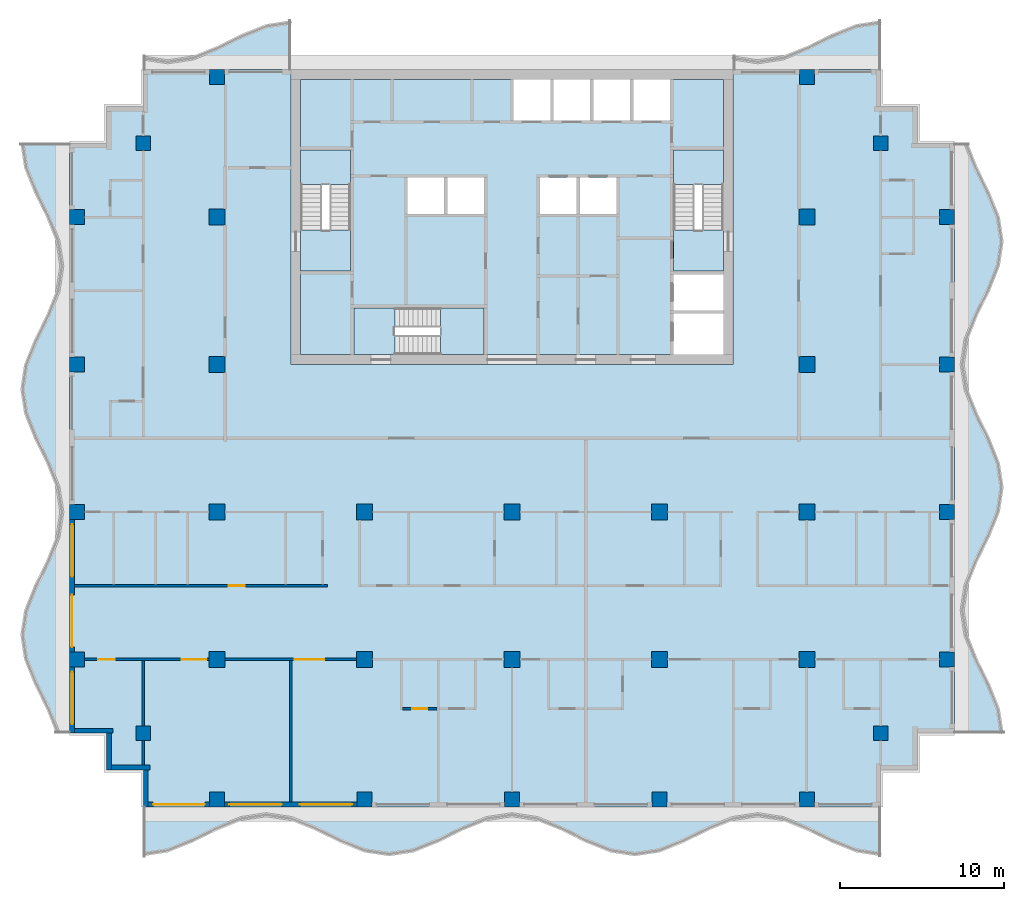
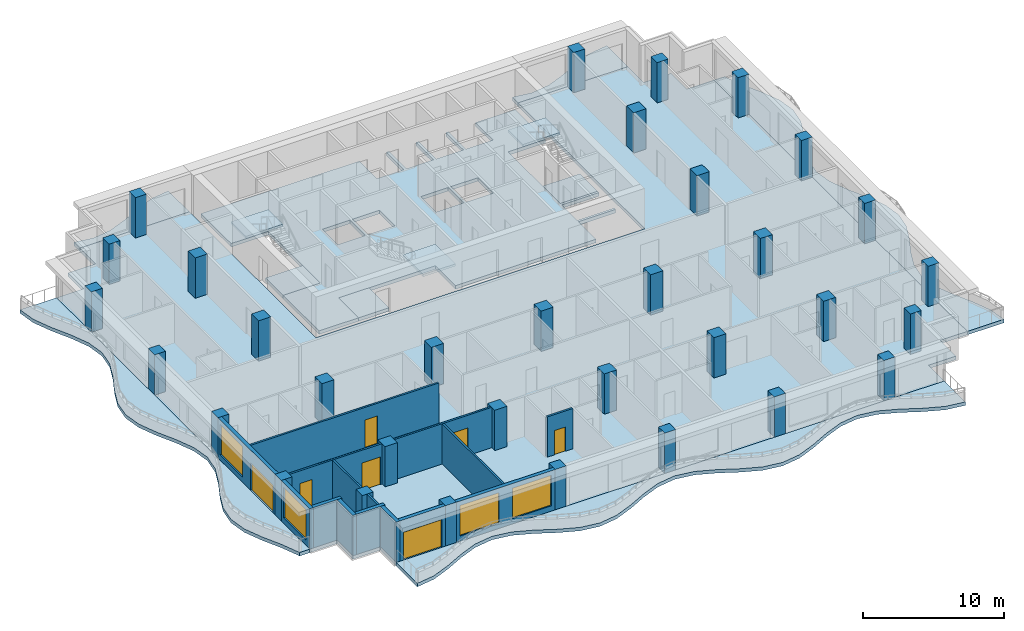
# One storey, part 1 of 11: 33 columns, 15 walls, 13 slabs, 7 doors, 4 windows, 11 openings, 3 elements without a shape of their own.
"""IFC4 building model written with IfcOpenShell, lengths in metres."""

from ifc_helpers import new_model, si_unit, direction, frame, frame_2d, origin, origin_2d, place, context, subcontext, project, spatial, polyline, rectangle, outline, extrude, material, layer, layer_set, material_profile, profile_set, type_object, element, fill, aggregate, save


model = new_model("IFC4")

# Units and contexts
model_context = context("Model", 3, precision=1e-05, world=origin(), true_north=direction((0.0, 1.0)))
body_context = subcontext(model_context, "Body", "Model", "MODEL_VIEW")
ifc_project = project(units=[si_unit("LENGTHUNIT", "METRE"), si_unit("AREAUNIT", "SQUARE_METRE"), si_unit("VOLUMEUNIT", "CUBIC_METRE"), si_unit("PLANEANGLEUNIT", "RADIAN"), si_unit("MASSUNIT", "GRAM", prefix="KILO")], contexts=[model_context])

# Site, building, storey
site_placement = place(None, origin())
site = spatial("IfcSite", under=ifc_project, at=site_placement, CompositionType="ELEMENT")
building_placement = place(site_placement, origin())
building = spatial("IfcBuilding", under=site, at=building_placement, Name="Orbiselva Terraces", CompositionType="ELEMENT")
storey_placement = place(building_placement, frame((0.0, 0.0, 250.2)))
storey = spatial("IfcBuildingStorey", under=building, at=storey_placement, Name="L63", CompositionType="ELEMENT", Elevation=250.2)

# Columns
ifc_material_1 = material(Name="Concrete C50/60", Category="concrete")
ifc_material_profile_1 = material_profile(ifc_material_1, rectangle(XDim=1.0, YDim=1.0, at=origin_2d()), Name="RC 1000x1000")
ifc_profile_set_1 = profile_set([ifc_material_profile_1], Name="Concrete C50/60")
column_type_1 = type_object("IfcColumnType", Name="COLUMN RC 1000x1000", PredefinedType="COLUMN", material=ifc_profile_set_1)
for number, where, z_axis, x_axis, name in (
    (1, (-18.0, -13.5, 0.0), (0.0, 0.0, 1.0), (1.0, 0.0, 0.0), "Column L63-01"),
    (2, (-18.0, -4.5, 0.0), (0.0, 0.0, 1.0), (1.0, 0.0, 0.0), "Column L63-03"),
    (3, (-18.0, 13.5, 0.0), (0.0, 0.0, 1.0), (1.0, 0.0, 0.0), "Column L63-04"),
    (4, (-18.0, 4.5, 0.0), (0.0, 0.0, 1.0), (1.0, 0.0, 0.0), "Column L63-06"),
    (5, (-9.0, -13.5, 0.0), (0.0, 0.0, 1.0), (1.0, 0.0, 0.0), "Column L63-13"),
    (6, (-9.0, -4.5, 0.0), (0.0, 0.0, 1.0), (1.0, 0.0, 0.0), "Column L63-15"),
    (7, (0.0, -13.5, 0.0), (0.0, 0.0, 1.0), (1.0, 0.0, 0.0), "Column L63-16"),
    (8, (0.0, -4.5, 0.0), (0.0, 0.0, 1.0), (1.0, 0.0, 0.0), "Column L63-18"),
    (9, (18.0, -13.5, 0.0), (0.0, 0.0, 1.0), (1.0, 0.0, 0.0), "Column L63-19"),
    (10, (18.0, -4.5, 0.0), (0.0, 0.0, 1.0), (1.0, 0.0, 0.0), "Column L63-21"),
    (11, (18.0, 13.5, 0.0), (0.0, 0.0, 1.0), (1.0, 0.0, 0.0), "Column L63-22"),
    (12, (18.0, 4.5, 0.0), (0.0, 0.0, 1.0), (1.0, 0.0, 0.0), "Column L63-24"),
    (13, (9.0, -13.5, 0.0), (0.0, 0.0, 1.0), (1.0, 0.0, 0.0), "Column L63-31"),
    (14, (9.0, -4.5, 0.0), (0.0, 0.0, 1.0), (1.0, 0.0, 0.0), "Column L63-33"),
):
    element("IfcColumn", number, at=place(storey_placement, frame(where, z_axis=z_axis, x_axis=x_axis)), inside=storey, type_object=column_type_1, Name=name, PredefinedType="COLUMN", context=body_context, shape_type="SweptSolid", body=[
        extrude(rectangle(XDim=1.0, YDim=1.0, at=origin_2d()), origin(), (0.0, 0.0, 1.0), 3.5),
    ])
ifc_material_profile_2 = material_profile(ifc_material_1, rectangle(XDim=0.9, YDim=0.9, at=origin_2d()), Name="RC 900x900")
ifc_profile_set_2 = profile_set([ifc_material_profile_2], Name="Concrete C50/60")
column_type_2 = type_object("IfcColumnType", Name="PERIMETER COLUMN RC 900x900", PredefinedType="COLUMN", material=ifc_profile_set_2)
for number, where, z_axis, x_axis, name in (
    (15, (-18.0, -22.05, 0.0), (0.0, 0.0, 1.0), (1.0, 0.0, 0.0), "Column L63-02"),
    (16, (-18.0, 22.05, 0.0), (0.0, 0.0, 1.0), (1.0, 0.0, 0.0), "Column L63-05"),
    (17, (-26.55, -13.5, 0.0), (0.0, 0.0, 1.0), (1.0, 0.0, 0.0), "Column L63-07"),
    (18, (-22.5, -18.0, 0.0), (0.0, 0.0, 1.0), (1.0, 0.0, 0.0), "Column L63-08"),
    (19, (-26.55, -4.5, 0.0), (0.0, 0.0, 1.0), (1.0, 0.0, 0.0), "Column L63-09"),
    (20, (-26.55, 13.5, 0.0), (0.0, 0.0, 1.0), (1.0, 0.0, 0.0), "Column L63-10"),
    (21, (-22.5, 18.0, 0.0), (0.0, 0.0, 1.0), (1.0, 0.0, 0.0), "Column L63-11"),
    (22, (-26.55, 4.5, 0.0), (0.0, 0.0, 1.0), (1.0, 0.0, 0.0), "Column L63-12"),
    (23, (-9.0, -22.05, 0.0), (0.0, 0.0, 1.0), (1.0, 0.0, 0.0), "Column L63-14"),
    (24, (0.0, -22.05, 0.0), (0.0, 0.0, 1.0), (1.0, 0.0, 0.0), "Column L63-17"),
    (25, (18.0, -22.05, 0.0), (0.0, 0.0, 1.0), (1.0, 0.0, 0.0), "Column L63-20"),
    (26, (18.0, 22.05, 0.0), (0.0, 0.0, 1.0), (1.0, 0.0, 0.0), "Column L63-23"),
    (27, (26.55, -13.5, 0.0), (0.0, 0.0, 1.0), (1.0, 0.0, 0.0), "Column L63-25"),
    (28, (22.5, -18.0, 0.0), (0.0, 0.0, 1.0), (1.0, 0.0, 0.0), "Column L63-26"),
    (29, (26.55, -4.5, 0.0), (0.0, 0.0, 1.0), (1.0, 0.0, 0.0), "Column L63-27"),
    (30, (26.55, 13.5, 0.0), (0.0, 0.0, 1.0), (1.0, 0.0, 0.0), "Column L63-28"),
    (31, (22.5, 18.0, 0.0), (0.0, 0.0, 1.0), (1.0, 0.0, 0.0), "Column L63-29"),
    (32, (26.55, 4.5, 0.0), (0.0, 0.0, 1.0), (1.0, 0.0, 0.0), "Column L63-30"),
    (33, (9.0, -22.05, 0.0), (0.0, 0.0, 1.0), (1.0, 0.0, 0.0), "Column L63-32"),
):
    element("IfcColumn", number, at=place(storey_placement, frame(where, z_axis=z_axis, x_axis=x_axis)), inside=storey, type_object=column_type_2, Name=name, PredefinedType="COLUMN", context=body_context, shape_type="SweptSolid", body=[
        extrude(rectangle(XDim=0.9, YDim=0.9, at=origin_2d()), origin(), (0.0, 0.0, 1.0), 3.5),
    ])

# Slabs
ifc_material_2 = material(Name="Concrete C40/50", Category="concrete")
ifc_layer_1 = layer(ifc_material_2, 0.3)
ifc_layer_set_1 = layer_set([ifc_layer_1], Name="Concrete C40/50")
slab_type_1 = type_object("IfcSlabType", Name="CORE-SLAB-FLOOR-300", PredefinedType="FLOOR", material=ifc_layer_set_1)
slab_1_placement = place(storey_placement, frame((0.0, 0.0, -0.3)))
element("IfcSlab", 34, at=slab_1_placement, inside=storey, type_object=slab_type_1, Name="L63 S1 floor landing", PredefinedType="FLOOR", context=body_context, shape_type="SweptSolid", body=[
    extrude(outline(polyline([(-12.9, 12.7), (-9.85, 12.7), (-9.85, 10.2), (-12.9, 10.2), (-12.9, 12.7)])), origin(), (0.0, 0.0, 1.0), 0.3),
])
slab_2_placement = place(storey_placement, frame((0.0, 0.0, -0.3)))
element("IfcSlab", 35, at=slab_2_placement, inside=storey, type_object=slab_type_1, Name="L63 S2 floor landing", PredefinedType="FLOOR", context=body_context, shape_type="SweptSolid", body=[
    extrude(outline(polyline([(12.9, 12.7), (12.9, 10.2), (9.85, 10.2), (9.85, 12.7), (12.9, 12.7)])), origin(), (0.0, 0.0, 1.0), 0.3),
])
slab_3_placement = place(storey_placement, frame((0.0, 0.0, -0.3)))
element("IfcSlab", 36, at=slab_3_placement, inside=storey, type_object=slab_type_1, Name="L63 S3 floor landing", PredefinedType="FLOOR", context=body_context, shape_type="SweptSolid", body=[
    extrude(outline(polyline([(-7.15, 5.1), (-9.65, 5.1), (-9.65, 7.95), (-7.15, 7.95), (-7.15, 5.1)])), origin(), (0.0, 0.0, 1.0), 0.3),
])
slab_4_placement = place(storey_placement, frame((0.0, 0.0, -0.3)))
element("IfcSlab", 37, at=slab_4_placement, inside=storey, type_object=slab_type_1, Name="L63 core floor slab 1", PredefinedType="FLOOR", context=body_context, shape_type="SweptSolid", body=[
    extrude(outline(polyline([(-1.7, 5.1), (-1.7, 7.95), (-9.65, 7.95), (-9.65, 5.1), (-12.9, 5.1), (-12.9, 10.2), (-9.85, 10.2), (-9.85, 17.6), (-12.9, 17.6), (-12.9, 21.9), (0.1, 21.9), (0.1, 19.4), (2.3375, 19.4), (2.3375, 21.9), (2.5375, 21.9), (2.5375, 19.4), (4.775, 19.4), (4.775, 21.9), (4.975, 21.9), (4.975, 19.4), (7.2125, 19.4), (7.2125, 21.9), (7.4125, 21.9), (7.4125, 19.4), (9.65, 19.4), (9.65, 21.9), (12.9, 21.9), (12.9, 17.6), (9.85, 17.6), (9.85, 10.2), (12.9, 10.2), (12.9, 10.0), (9.85, 10.0), (9.85, 7.8), (12.9, 7.8), (12.9, 7.6), (9.85, 7.6), (9.85, 5.1), (-1.7, 5.1)]), holes=[polyline([(-4.1375, 13.7), (-4.1375, 15.9), (-6.375, 15.9), (-6.375, 13.7), (-4.1375, 13.7)]), polyline([(-1.7, 13.7), (-1.7, 15.9), (-3.9375, 15.9), (-3.9375, 13.7), (-1.7, 13.7)]), polyline([(3.9375, 15.9), (1.7, 15.9), (1.7, 13.7), (3.9375, 13.7), (3.9375, 15.9)]), polyline([(6.375, 13.7), (6.375, 15.9), (4.1375, 15.9), (4.1375, 13.7), (6.375, 13.7)])]), origin(), (0.0, 0.0, 1.0), 0.3),
])

# Stair, slab
stair_type_1 = type_object("IfcStairType", Name="CORE-STAIR-1300", PredefinedType="HALF_TURN_STAIR", material=ifc_material_2)
stair_1_placement = place(storey_placement, origin())
stair_1 = element("IfcStair", 38, at=stair_1_placement, inside=storey, type_object=stair_type_1, Name="L63 Exit Stair S1", PredefinedType="HALF_TURN_STAIR")
ifc_layer_2 = layer(ifc_material_2, 0.2)
ifc_layer_set_2 = layer_set([ifc_layer_2], Name="Concrete C40/50")
slab_type_2 = type_object("IfcSlabType", Name="CORE-STAIR-LANDING-200", PredefinedType="LANDING", material=ifc_layer_set_2)
slab_5_placement = place(storey_placement, frame((0.0, 0.0, 1.7)))
slab_5 = element("IfcSlab", 39, at=slab_5_placement, type_object=slab_type_2, Name="S1 landing 1", PredefinedType="LANDING", context=body_context, shape_type="SweptSolid", body=[
    extrude(outline(polyline([(-9.85, 15.5), (-9.85, 17.6), (-12.9, 17.6), (-12.9, 15.5), (-9.85, 15.5)])), origin(), (0.0, 0.0, 1.0), 0.2),
])
aggregate(stair_1, [slab_5])

stair_2_placement = place(storey_placement, origin())
stair_2 = element("IfcStair", 40, at=stair_2_placement, inside=storey, type_object=stair_type_1, Name="L63 Exit Stair S2", PredefinedType="HALF_TURN_STAIR")
slab_6_placement = place(storey_placement, frame((0.0, 0.0, 1.7)))
slab_6 = element("IfcSlab", 41, at=slab_6_placement, type_object=slab_type_2, Name="S2 landing 1", PredefinedType="LANDING", context=body_context, shape_type="SweptSolid", body=[
    extrude(outline(polyline([(12.9, 15.5), (12.9, 17.6), (9.85, 17.6), (9.85, 15.5), (12.9, 15.5)])), origin(), (0.0, 0.0, 1.0), 0.2),
])
aggregate(stair_2, [slab_6])

stair_type_2 = type_object("IfcStairType", Name="CORE-STAIR-1200", PredefinedType="HALF_TURN_STAIR", material=ifc_material_2)
stair_3_placement = place(storey_placement, origin())
stair_3 = element("IfcStair", 42, at=stair_3_placement, inside=storey, type_object=stair_type_2, Name="L63 Exit Stair S3", PredefinedType="HALF_TURN_STAIR")
slab_7_placement = place(storey_placement, frame((0.0, 0.0, 1.7)))
slab_7 = element("IfcSlab", 43, at=slab_7_placement, type_object=slab_type_2, Name="S3 landing 1", PredefinedType="LANDING", context=body_context, shape_type="SweptSolid", body=[
    extrude(outline(polyline([(-4.35, 5.1), (-1.7, 5.1), (-1.7, 7.95), (-4.35, 7.95), (-4.35, 5.1)])), origin(), (0.0, 0.0, 1.0), 0.2),
])
aggregate(stair_3, [slab_7])

# Slabs
ifc_layer_3 = layer(ifc_material_1, 0.3)
ifc_layer_set_3 = layer_set([ifc_layer_3], Name="Concrete C50/60")
slab_type_3 = type_object("IfcSlabType", Name="ENV-BALCONY-SLAB-300", PredefinedType="FLOOR", material=ifc_layer_set_3)
slab_8_placement = place(storey_placement, frame((0.0, 0.0, -0.3)))
element("IfcSlab", 44, at=slab_8_placement, inside=storey, type_object=slab_type_3, Name="Balcony slab L63 S", PredefinedType="FLOOR", context=body_context, shape_type="SweptSolid", body=[
    extrude(outline(polyline([(-22.5, -25.5), (-21.0, -25.27082), (-19.5, -24.67082), (-18.0, -23.92918), (-16.5, -23.32918), (-15.0, -23.1), (-13.5, -23.32918), (-12.0, -23.92918), (-10.5, -24.67082), (-9.0, -25.27082), (-7.5, -25.5), (-6.0, -25.27082), (-4.5, -24.67082), (-3.0, -23.92918), (-1.5, -23.32918), (0.0, -23.1), (1.5, -23.32918), (3.0, -23.92918), (4.5, -24.67082), (6.0, -25.27082), (7.5, -25.5), (9.0, -25.27082), (10.5, -24.67082), (12.0, -23.92918), (13.5, -23.32918), (15.0, -23.1), (16.5, -23.32918), (18.0, -23.92918), (19.5, -24.67082), (21.0, -25.27082), (22.5, -25.5), (22.5, -22.5), (-22.5, -22.5), (-22.5, -25.5)])), origin(), (0.0, 0.0, 1.0), 0.3),
])
slab_9_placement = place(storey_placement, frame((0.0, 0.0, -0.3)))
element("IfcSlab", 45, at=slab_9_placement, inside=storey, type_object=slab_type_3, Name="Balcony slab L63 E", PredefinedType="FLOOR", context=body_context, shape_type="SweptSolid", body=[
    extrude(outline(polyline([(30.0, -18.0), (29.77082, -16.5), (29.17082, -15.0), (28.42918, -13.5), (27.82918, -12.0), (27.6, -10.5), (27.82918, -9.0), (28.42918, -7.5), (29.17082, -6.0), (29.77082, -4.5), (30.0, -3.0), (29.77082, -1.5), (29.17082, 0.0), (28.42918, 1.5), (27.82918, 3.0), (27.6, 4.5), (27.82918, 6.0), (28.42918, 7.5), (29.17082, 9.0), (29.77082, 10.5), (30.0, 12.0), (29.77082, 13.5), (29.17082, 15.0), (28.42918, 16.5), (27.82918, 18.0), (27.0, 18.0), (27.0, -18.0), (30.0, -18.0)])), origin(), (0.0, 0.0, 1.0), 0.3),
])
slab_10_placement = place(storey_placement, frame((0.0, 0.0, -0.3)))
element("IfcSlab", 46, at=slab_10_placement, inside=storey, type_object=slab_type_3, Name="Balcony slab L63 NE", PredefinedType="FLOOR", context=body_context, shape_type="SweptSolid", body=[
    extrude(outline(polyline([(22.5, 25.5), (21.0, 25.27082), (19.5, 24.67082), (18.0, 23.92918), (16.5, 23.32918), (15.0, 23.1), (13.5, 23.32918), (13.5, 22.5), (22.5, 22.5), (22.5, 25.5)])), origin(), (0.0, 0.0, 1.0), 0.3),
])
slab_11_placement = place(storey_placement, frame((0.0, 0.0, -0.3)))
element("IfcSlab", 47, at=slab_11_placement, inside=storey, type_object=slab_type_3, Name="Balcony slab L63 NW", PredefinedType="FLOOR", context=body_context, shape_type="SweptSolid", body=[
    extrude(outline(polyline([(-13.5, 25.5), (-15.0, 25.27082), (-16.5, 24.67082), (-18.0, 23.92918), (-19.5, 23.32918), (-21.0, 23.1), (-22.5, 23.32918), (-22.5, 22.5), (-13.5, 22.5), (-13.5, 25.5)])), origin(), (0.0, 0.0, 1.0), 0.3),
])
slab_12_placement = place(storey_placement, frame((0.0, 0.0, -0.3)))
element("IfcSlab", 48, at=slab_12_placement, inside=storey, type_object=slab_type_3, Name="Balcony slab L63 W", PredefinedType="FLOOR", context=body_context, shape_type="SweptSolid", body=[
    extrude(outline(polyline([(-30.0, 18.0), (-29.77082, 16.5), (-29.17082, 15.0), (-28.42918, 13.5), (-27.82918, 12.0), (-27.6, 10.5), (-27.82918, 9.0), (-28.42918, 7.5), (-29.17082, 6.0), (-29.77082, 4.5), (-30.0, 3.0), (-29.77082, 1.5), (-29.17082, 0.0), (-28.42918, -1.5), (-27.82918, -3.0), (-27.6, -4.5), (-27.82918, -6.0), (-28.42918, -7.5), (-29.17082, -9.0), (-29.77082, -10.5), (-30.0, -12.0), (-29.77082, -13.5), (-29.17082, -15.0), (-28.42918, -16.5), (-27.82918, -18.0), (-27.0, -18.0), (-27.0, 18.0), (-30.0, 18.0)])), origin(), (0.0, 0.0, 1.0), 0.3),
])
ifc_layer_4 = layer(ifc_material_1, 0.3)
ifc_layer_set_4 = layer_set([ifc_layer_4], Name="Concrete C50/60")
slab_type_4 = type_object("IfcSlabType", Name="FLOOR SLAB 300", PredefinedType="FLOOR", material=ifc_layer_set_4)
slab_13_placement = place(storey_placement, frame((0.0, 0.0, -0.3)))
element("IfcSlab", 49, at=slab_13_placement, inside=storey, type_object=slab_type_4, Name="Floor slab L63", PredefinedType="FLOOR", context=body_context, shape_type="SweptSolid", body=[
    extrude(outline(polyline([(22.5, 22.5), (22.5, 20.25), (24.75, 20.25), (24.75, 18.0), (27.0, 18.0), (27.0, -18.0), (24.75, -18.0), (24.75, -20.25), (22.5, -20.25), (22.5, -22.5), (-22.5, -22.5), (-22.5, -20.25), (-24.75, -20.25), (-24.75, -18.0), (-27.0, -18.0), (-27.0, 18.0), (-24.75, 18.0), (-24.75, 20.25), (-22.5, 20.25), (-22.5, 22.5), (-13.5, 22.5), (-13.5, 4.5), (13.5, 4.5), (13.5, 22.5), (22.5, 22.5)])), origin(), (0.0, 0.0, 1.0), 0.3),
])

# Wall, opening, door
ifc_material_3 = material(Name="Terracotta cladding on masonry backing", Category="masonry")
ifc_layer_5 = layer(ifc_material_3, 0.3)
ifc_layer_set_5 = layer_set([ifc_layer_5], Name="Terracotta cladding on masonry backing")
wall_type_1 = type_object("IfcWallType", Name="ENV-WALL-TERRACOTTA-300", PredefinedType="SOLIDWALL", material=ifc_layer_set_5)
wall_1_placement = place(storey_placement, frame((-18.45, -22.35, 0.0), z_axis=(0.0, 0.0, 1.0), x_axis=(-1.0, 0.0, 0.0)))
wall_1 = element("IfcWall", 50, at=wall_1_placement, inside=storey, type_object=wall_type_1, Name="Facade wall L63 S", PredefinedType="SOLIDWALL", context=body_context, shape_type="SweptSolid", body=[
    extrude(rectangle(XDim=3.75, YDim=0.3, at=frame_2d((1.875, 0.0))), origin(), (0.0, 0.0, 1.0), 3.5),
])
opening_1_placement = place(wall_1_placement, frame((0.3, 0.0, 0.0)))
opening_1 = element("IfcOpeningElement", 51, at=opening_1_placement, cuts=wall_1, Name="Opening Z5-B-E01", PredefinedType="OPENING", context=body_context, shape_type="SweptSolid", body=[
    extrude(rectangle(XDim=3.15, YDim=2.4, at=frame_2d((1.575, 1.2))), frame((0.0, 0.16, 0.0), z_axis=(0.0, -1.0, 0.0), x_axis=(1.0, 0.0, 0.0)), (0.0, 0.0, 1.0), 0.32),
])
ifc_material_4 = material(Name="Clear low-e glazing in aluminium frame", Category="aluminium")
door_type_1 = type_object("IfcDoorType", Name="BALCONY DOOR 3150 X 2400", OperationType="DOUBLE_DOOR_SLIDING", PredefinedType="DOOR", material=ifc_material_4)
door_1_placement = place(opening_1_placement, origin())
door_1 = element("IfcDoor", 52, at=door_1_placement, inside=storey, type_object=door_type_1, Name="Z5-B-E01", OperationType="SINGLE_SWING_LEFT", OverallHeight=2.4, OverallWidth=3.15, PredefinedType="DOOR", context=body_context, shape_type="SweptSolid", body=[
    extrude(rectangle(XDim=3.15, YDim=2.4, at=frame_2d((1.575, 1.2))), frame((0.0, 0.025, 0.0), z_axis=(0.0, -1.0, 0.0), x_axis=(1.0, 0.0, 0.0)), (0.0, 0.0, 1.0), 0.05),
])
fill(opening_1, door_1)

# Wall, openings, windows
wall_2_placement = place(storey_placement, frame((-9.45, -22.35, 0.0), z_axis=(0.0, 0.0, 1.0), x_axis=(-1.0, 0.0, 0.0)))
wall_2 = element("IfcWall", 53, at=wall_2_placement, inside=storey, type_object=wall_type_1, Name="Facade wall L63 S", PredefinedType="SOLIDWALL", context=body_context, shape_type="SweptSolid", body=[
    extrude(rectangle(XDim=8.1, YDim=0.3, at=frame_2d((4.05, 0.0))), origin(), (0.0, 0.0, 1.0), 3.5),
])
opening_2_placement = place(wall_2_placement, frame((4.6, 0.0, 0.45)))
opening_2 = element("IfcOpeningElement", 54, at=opening_2_placement, cuts=wall_2, Name="Opening WN17", PredefinedType="OPENING", context=body_context, shape_type="SweptSolid", body=[
    extrude(rectangle(XDim=3.2, YDim=2.65, at=frame_2d((1.6, 1.325))), frame((0.0, 0.16, 0.0), z_axis=(0.0, -1.0, 0.0), x_axis=(1.0, 0.0, 0.0)), (0.0, 0.0, 1.0), 0.32),
])
opening_3_placement = place(wall_2_placement, frame((0.3, 0.0, 0.45)))
opening_3 = element("IfcOpeningElement", 55, at=opening_3_placement, cuts=wall_2, Name="Opening WN17", PredefinedType="OPENING", context=body_context, shape_type="SweptSolid", body=[
    extrude(rectangle(XDim=3.2, YDim=2.65, at=frame_2d((1.6, 1.325))), frame((0.0, 0.16, 0.0), z_axis=(0.0, -1.0, 0.0), x_axis=(1.0, 0.0, 0.0)), (0.0, 0.0, 1.0), 0.32),
])
window_type = type_object("IfcWindowType", Name="WINDOW 3200 X 2650 S450", PartitioningType="TRIPLE_PANEL_VERTICAL", PredefinedType="WINDOW", material=ifc_material_4)
window_1_placement = place(opening_2_placement, origin())
window_1 = element("IfcWindow", 56, at=window_1_placement, inside=storey, type_object=window_type, Name="Window L63 S", OverallHeight=2.65, OverallWidth=3.2, PartitioningType="SINGLE_PANEL", PredefinedType="WINDOW", context=body_context, shape_type="SweptSolid", body=[
    extrude(rectangle(XDim=3.2, YDim=2.65, at=frame_2d((1.6, 1.325))), frame((0.0, 0.03, 0.0), z_axis=(0.0, -1.0, 0.0), x_axis=(1.0, 0.0, 0.0)), (0.0, 0.0, 1.0), 0.06),
])
fill(opening_2, window_1)
window_2_placement = place(opening_3_placement, origin())
window_2 = element("IfcWindow", 57, at=window_2_placement, inside=storey, type_object=window_type, Name="Window L63 S", OverallHeight=2.65, OverallWidth=3.2, PartitioningType="SINGLE_PANEL", PredefinedType="WINDOW", context=body_context, shape_type="SweptSolid", body=[
    extrude(rectangle(XDim=3.2, YDim=2.65, at=frame_2d((1.6, 1.325))), frame((0.0, 0.03, 0.0), z_axis=(0.0, -1.0, 0.0), x_axis=(1.0, 0.0, 0.0)), (0.0, 0.0, 1.0), 0.06),
])
fill(opening_3, window_2)

# Wall, openings, door, window
wall_3_placement = place(storey_placement, frame((-26.85, -13.05, 0.0), z_axis=(0.0, 0.0, 1.0), x_axis=(0.0, 1.0, 0.0)))
wall_3 = element("IfcWall", 58, at=wall_3_placement, inside=storey, type_object=wall_type_1, Name="Facade wall L63 W", PredefinedType="SOLIDWALL", context=body_context, shape_type="SweptSolid", body=[
    extrude(rectangle(XDim=8.1, YDim=0.3, at=frame_2d((4.05, 0.0))), origin(), (0.0, 0.0, 1.0), 3.5),
])
opening_4_placement = place(wall_3_placement, frame((4.6, 0.0, 0.45)))
opening_4 = element("IfcOpeningElement", 59, at=opening_4_placement, cuts=wall_3, Name="Opening WN17", PredefinedType="OPENING", context=body_context, shape_type="SweptSolid", body=[
    extrude(rectangle(XDim=3.2, YDim=2.65, at=frame_2d((1.6, 1.325))), frame((0.0, 0.16, 0.0), z_axis=(0.0, -1.0, 0.0), x_axis=(1.0, 0.0, 0.0)), (0.0, 0.0, 1.0), 0.32),
])
opening_5_placement = place(wall_3_placement, frame((0.3, 0.0, 0.0)))
opening_5 = element("IfcOpeningElement", 60, at=opening_5_placement, cuts=wall_3, Name="Opening Z5-B-E12", PredefinedType="OPENING", context=body_context, shape_type="SweptSolid", body=[
    extrude(rectangle(XDim=3.2, YDim=2.4, at=frame_2d((1.6, 1.2))), frame((0.0, 0.16, 0.0), z_axis=(0.0, -1.0, 0.0), x_axis=(1.0, 0.0, 0.0)), (0.0, 0.0, 1.0), 0.32),
])
door_type_2 = type_object("IfcDoorType", Name="BALCONY DOOR 3200 X 2400", OperationType="DOUBLE_DOOR_SLIDING", PredefinedType="DOOR", material=ifc_material_4)
door_2_placement = place(opening_5_placement, origin())
door_2 = element("IfcDoor", 61, at=door_2_placement, inside=storey, type_object=door_type_2, Name="Z5-B-E12", OperationType="SINGLE_SWING_LEFT", OverallHeight=2.4, OverallWidth=3.2, PredefinedType="DOOR", context=body_context, shape_type="SweptSolid", body=[
    extrude(rectangle(XDim=3.2, YDim=2.4, at=frame_2d((1.6, 1.2))), frame((0.0, 0.025, 0.0), z_axis=(0.0, -1.0, 0.0), x_axis=(1.0, 0.0, 0.0)), (0.0, 0.0, 1.0), 0.05),
])
fill(opening_5, door_2)
window_3_placement = place(opening_4_placement, origin())
window_3 = element("IfcWindow", 62, at=window_3_placement, inside=storey, type_object=window_type, Name="Window L63 W", OverallHeight=2.65, OverallWidth=3.2, PartitioningType="SINGLE_PANEL", PredefinedType="WINDOW", context=body_context, shape_type="SweptSolid", body=[
    extrude(rectangle(XDim=3.2, YDim=2.65, at=frame_2d((1.6, 1.325))), frame((0.0, 0.03, 0.0), z_axis=(0.0, -1.0, 0.0), x_axis=(1.0, 0.0, 0.0)), (0.0, 0.0, 1.0), 0.06),
])
fill(opening_4, window_3)

# Wall, opening, window
wall_4_placement = place(storey_placement, frame((-26.85, -18.0, 0.0), z_axis=(0.0, 0.0, 1.0), x_axis=(0.0, 1.0, 0.0)))
wall_4 = element("IfcWall", 63, at=wall_4_placement, inside=storey, type_object=wall_type_1, Name="Facade wall L63 W", PredefinedType="SOLIDWALL", context=body_context, shape_type="SweptSolid", body=[
    extrude(rectangle(XDim=4.05, YDim=0.3, at=frame_2d((2.025, 0.0))), origin(), (0.0, 0.0, 1.0), 3.5),
])
opening_6_placement = place(wall_4_placement, frame((0.55, 0.0, 0.45)))
opening_6 = element("IfcOpeningElement", 64, at=opening_6_placement, cuts=wall_4, Name="Opening WN17", PredefinedType="OPENING", context=body_context, shape_type="SweptSolid", body=[
    extrude(rectangle(XDim=3.2, YDim=2.65, at=frame_2d((1.6, 1.325))), frame((0.0, 0.16, 0.0), z_axis=(0.0, -1.0, 0.0), x_axis=(1.0, 0.0, 0.0)), (0.0, 0.0, 1.0), 0.32),
])
window_4_placement = place(opening_6_placement, origin())
window_4 = element("IfcWindow", 65, at=window_4_placement, inside=storey, type_object=window_type, Name="Window L63 W", OverallHeight=2.65, OverallWidth=3.2, PartitioningType="SINGLE_PANEL", PredefinedType="WINDOW", context=body_context, shape_type="SweptSolid", body=[
    extrude(rectangle(XDim=3.2, YDim=2.65, at=frame_2d((1.6, 1.325))), frame((0.0, 0.03, 0.0), z_axis=(0.0, -1.0, 0.0), x_axis=(1.0, 0.0, 0.0)), (0.0, 0.0, 1.0), 0.06),
])
fill(opening_6, window_4)

# Walls
wall_5_placement = place(storey_placement, frame((-24.35, -17.85, 0.0), z_axis=(0.0, 0.0, 1.0), x_axis=(-1.0, 0.0, 0.0)))
element("IfcWall", 66, at=wall_5_placement, inside=storey, type_object=wall_type_1, Name="Facade wall L63 STEP", PredefinedType="SOLIDWALL", context=body_context, shape_type="SweptSolid", body=[
    extrude(rectangle(XDim=2.35, YDim=0.3, at=frame_2d((1.175, 0.0))), origin(), (0.0, 0.0, 1.0), 3.5),
])
wall_6_placement = place(storey_placement, frame((-24.6, -20.25, 0.0), z_axis=(0.0, 0.0, 1.0), x_axis=(0.0, 1.0, 0.0)))
element("IfcWall", 67, at=wall_6_placement, inside=storey, type_object=wall_type_1, Name="Facade wall L63 STEP", PredefinedType="SOLIDWALL", context=body_context, shape_type="SweptSolid", body=[
    extrude(rectangle(XDim=2.25, YDim=0.3, at=frame_2d((1.125, 0.0))), origin(), (0.0, 0.0, 1.0), 3.5),
])
wall_7_placement = place(storey_placement, frame((-22.1, -20.1, 0.0), z_axis=(0.0, 0.0, 1.0), x_axis=(-1.0, 0.0, 0.0)))
element("IfcWall", 68, at=wall_7_placement, inside=storey, type_object=wall_type_1, Name="Facade wall L63 STEP", PredefinedType="SOLIDWALL", context=body_context, shape_type="SweptSolid", body=[
    extrude(rectangle(XDim=2.35, YDim=0.3, at=frame_2d((1.175, 0.0))), origin(), (0.0, 0.0, 1.0), 3.5),
])
wall_8_placement = place(storey_placement, frame((-22.35, -22.5, 0.0), z_axis=(0.0, 0.0, 1.0), x_axis=(0.0, 1.0, 0.0)))
element("IfcWall", 69, at=wall_8_placement, inside=storey, type_object=wall_type_1, Name="Facade wall L63 STEP", PredefinedType="SOLIDWALL", context=body_context, shape_type="SweptSolid", body=[
    extrude(rectangle(XDim=2.25, YDim=0.3, at=frame_2d((1.125, 0.0))), origin(), (0.0, 0.0, 1.0), 3.5),
])

# Wall, opening, door
ifc_material_5 = material(Name="Plasterboard on steel stud partition", Category="steel")
ifc_layer_6 = layer(ifc_material_5, 0.15)
ifc_layer_set_6 = layer_set([ifc_layer_6], Name="Plasterboard on steel stud partition")
wall_type_2 = type_object("IfcWallType", Name="UNIT-PARTITION-150", PredefinedType="PARTITIONING", material=ifc_layer_set_6)
wall_9_placement = place(storey_placement, frame((-6.675, -16.5, 0.0), z_axis=(0.0, 0.0, 1.0), x_axis=(1.0, 0.0, 0.0)))
wall_9 = element("IfcWall", 70, at=wall_9_placement, inside=storey, type_object=wall_type_2, Name="PARTITION L63-001", PredefinedType="PARTITIONING", context=body_context, shape_type="SweptSolid", body=[
    extrude(rectangle(XDim=2.1, YDim=0.15, at=frame_2d((1.05, 0.0))), origin(), (0.0, 0.0, 1.0), 3.5),
])
opening_7_placement = place(wall_9_placement, frame((0.6, 0.0, 0.0)))
opening_7 = element("IfcOpeningElement", 71, at=opening_7_placement, cuts=wall_9, Name="Opening Z5-B-27", PredefinedType="OPENING", context=body_context, shape_type="SweptSolid", body=[
    extrude(rectangle(XDim=0.9, YDim=2.1, at=frame_2d((0.45, 1.05))), frame((0.0, 0.085, 0.0), z_axis=(0.0, -1.0, 0.0), x_axis=(1.0, 0.0, 0.0)), (0.0, 0.0, 1.0), 0.17),
])
ifc_material_6 = material(Name="Painted timber door leaf", Category="wood")
door_type_3 = type_object("IfcDoorType", Name="BATH DOOR 900", OperationType="NOTDEFINED", PredefinedType="DOOR", material=ifc_material_6)
door_3_placement = place(opening_7_placement, origin())
door_3 = element("IfcDoor", 72, at=door_3_placement, inside=storey, type_object=door_type_3, Name="Z5-B-27", OperationType="SINGLE_SWING_LEFT", OverallHeight=2.1, OverallWidth=0.9, PredefinedType="DOOR", context=body_context, shape_type="SweptSolid", body=[
    extrude(rectangle(XDim=0.9, YDim=2.1, at=frame_2d((0.45, 1.05))), frame((0.0, 0.025, 0.0), z_axis=(0.0, -1.0, 0.0), x_axis=(1.0, 0.0, 0.0)), (0.0, 0.0, 1.0), 0.05),
])
fill(opening_7, door_3)

# Wall, openings, doors
wall_10_placement = place(storey_placement, frame((-18.5, -13.5, 0.0), z_axis=(0.0, 0.0, 1.0), x_axis=(-1.0, 0.0, 0.0)))
wall_10 = element("IfcWall", 73, at=wall_10_placement, inside=storey, type_object=wall_type_2, Name="PARTITION L63-007", PredefinedType="PARTITIONING", context=body_context, shape_type="SweptSolid", body=[
    extrude(rectangle(XDim=7.6, YDim=0.15, at=frame_2d((3.8, 0.0))), origin(), (0.0, 0.0, 1.0), 3.5),
])
opening_8_placement = place(wall_10_placement, frame((5.75, 0.0, 0.0)))
opening_8 = element("IfcOpeningElement", 74, at=opening_8_placement, cuts=wall_10, Name="Opening Z5-B-24", PredefinedType="OPENING", context=body_context, shape_type="SweptSolid", body=[
    extrude(rectangle(XDim=1.0, YDim=2.4, at=frame_2d((0.5, 1.2))), frame((0.0, 0.085, 0.0), z_axis=(0.0, -1.0, 0.0), x_axis=(1.0, 0.0, 0.0)), (0.0, 0.0, 1.0), 0.17),
])
opening_9_placement = place(wall_10_placement, frame((0.15, 0.0, 0.0)))
opening_9 = element("IfcOpeningElement", 75, at=opening_9_placement, cuts=wall_10, Name="Opening Z5-B-25", PredefinedType="OPENING", context=body_context, shape_type="SweptSolid", body=[
    extrude(rectangle(XDim=1.5, YDim=2.4, at=frame_2d((0.75, 1.2))), frame((0.0, 0.085, 0.0), z_axis=(0.0, -1.0, 0.0), x_axis=(1.0, 0.0, 0.0)), (0.0, 0.0, 1.0), 0.17),
])
door_type_4 = type_object("IfcDoorType", Name="DOUBLE DOOR 1500", OperationType="NOTDEFINED", PredefinedType="DOOR", material=ifc_material_6)
door_4_placement = place(opening_9_placement, origin())
door_4 = element("IfcDoor", 76, at=door_4_placement, inside=storey, type_object=door_type_4, Name="Z5-B-25", OperationType="DOUBLE_DOOR_SINGLE_SWING", OverallHeight=2.4, OverallWidth=1.5, PredefinedType="DOOR", context=body_context, shape_type="SweptSolid", body=[
    extrude(rectangle(XDim=1.5, YDim=2.4, at=frame_2d((0.75, 1.2))), frame((0.0, 0.025, 0.0), z_axis=(0.0, -1.0, 0.0), x_axis=(1.0, 0.0, 0.0)), (0.0, 0.0, 1.0), 0.05),
])
fill(opening_9, door_4)
door_type_5 = type_object("IfcDoorType", Name="ROOM DOOR 1000", OperationType="NOTDEFINED", PredefinedType="DOOR", material=ifc_material_6)
door_5_placement = place(opening_8_placement, origin())
door_5 = element("IfcDoor", 77, at=door_5_placement, inside=storey, type_object=door_type_5, Name="Z5-B-24", OperationType="SINGLE_SWING_RIGHT", OverallHeight=2.4, OverallWidth=1.0, PredefinedType="DOOR", context=body_context, shape_type="SweptSolid", body=[
    extrude(rectangle(XDim=1.0, YDim=2.4, at=frame_2d((0.5, 1.2))), frame((0.0, 0.025, 0.0), z_axis=(0.0, -1.0, 0.0), x_axis=(1.0, 0.0, 0.0)), (0.0, 0.0, 1.0), 0.05),
])
fill(opening_8, door_5)

# Wall, opening, door
wall_11_placement = place(storey_placement, frame((-9.5, -13.5, 0.0), z_axis=(0.0, 0.0, 1.0), x_axis=(-1.0, 0.0, 0.0)))
wall_11 = element("IfcWall", 78, at=wall_11_placement, inside=storey, type_object=wall_type_2, Name="PARTITION L63-008", PredefinedType="PARTITIONING", context=body_context, shape_type="SweptSolid", body=[
    extrude(rectangle(XDim=8.0, YDim=0.15, at=frame_2d((4.0, 0.0))), origin(), (0.0, 0.0, 1.0), 3.5),
])
opening_10_placement = place(wall_11_placement, frame((1.95, 0.0, 0.0)))
opening_10 = element("IfcOpeningElement", 79, at=opening_10_placement, cuts=wall_11, Name="Opening Z5-B-26", PredefinedType="OPENING", context=body_context, shape_type="SweptSolid", body=[
    extrude(rectangle(XDim=1.8, YDim=2.4, at=frame_2d((0.9, 1.2))), frame((0.0, 0.085, 0.0), z_axis=(0.0, -1.0, 0.0), x_axis=(1.0, 0.0, 0.0)), (0.0, 0.0, 1.0), 0.17),
])
door_type_6 = type_object("IfcDoorType", Name="DOUBLE DOOR 1800", OperationType="NOTDEFINED", PredefinedType="DOOR", material=ifc_material_6)
door_6_placement = place(opening_10_placement, origin())
door_6 = element("IfcDoor", 80, at=door_6_placement, inside=storey, type_object=door_type_6, Name="Z5-B-26", OperationType="DOUBLE_DOOR_SINGLE_SWING", OverallHeight=2.4, OverallWidth=1.8, PredefinedType="DOOR", context=body_context, shape_type="SweptSolid", body=[
    extrude(rectangle(XDim=1.8, YDim=2.4, at=frame_2d((0.9, 1.2))), frame((0.0, 0.025, 0.0), z_axis=(0.0, -1.0, 0.0), x_axis=(1.0, 0.0, 0.0)), (0.0, 0.0, 1.0), 0.05),
])
fill(opening_10, door_6)

wall_12_placement = place(storey_placement, frame((-26.7, -9.0, 0.0), z_axis=(0.0, 0.0, 1.0), x_axis=(1.0, 0.0, 0.0)))
wall_12 = element("IfcWall", 81, at=wall_12_placement, inside=storey, type_object=wall_type_2, Name="PARTITION L63-014", PredefinedType="PARTITIONING", context=body_context, shape_type="SweptSolid", body=[
    extrude(rectangle(XDim=15.45, YDim=0.15, at=frame_2d((7.725, 0.0))), origin(), (0.0, 0.0, 1.0), 3.5),
])
opening_11_placement = place(wall_12_placement, frame((9.4, 0.0, 0.0)))
opening_11 = element("IfcOpeningElement", 82, at=opening_11_placement, cuts=wall_12, Name="Opening Z5-B-18", PredefinedType="OPENING", context=body_context, shape_type="SweptSolid", body=[
    extrude(rectangle(XDim=1.0, YDim=2.4, at=frame_2d((0.5, 1.2))), frame((0.0, 0.085, 0.0), z_axis=(0.0, -1.0, 0.0), x_axis=(1.0, 0.0, 0.0)), (0.0, 0.0, 1.0), 0.17),
])
door_7_placement = place(opening_11_placement, origin())
door_7 = element("IfcDoor", 83, at=door_7_placement, inside=storey, type_object=door_type_5, Name="Z5-B-18", OperationType="SINGLE_SWING_RIGHT", OverallHeight=2.4, OverallWidth=1.0, PredefinedType="DOOR", context=body_context, shape_type="SweptSolid", body=[
    extrude(rectangle(XDim=1.0, YDim=2.4, at=frame_2d((0.5, 1.2))), frame((0.0, 0.025, 0.0), z_axis=(0.0, -1.0, 0.0), x_axis=(1.0, 0.0, 0.0)), (0.0, 0.0, 1.0), 0.05),
])
fill(opening_11, door_7)

# Walls
wall_13_placement = place(storey_placement, frame((-22.5, -19.95, 0.0), z_axis=(0.0, 0.0, 1.0), x_axis=(0.0, 1.0, 0.0)))
element("IfcWall", 84, at=wall_13_placement, inside=storey, type_object=wall_type_2, Name="PARTITION L63-042", PredefinedType="PARTITIONING", context=body_context, shape_type="SweptSolid", body=[
    extrude(rectangle(XDim=1.5, YDim=0.15, at=frame_2d((0.75, 0.0))), origin(), (0.0, 0.0, 1.0), 3.5),
])
wall_14_placement = place(storey_placement, frame((-22.5, -17.55, 0.0), z_axis=(0.0, 0.0, 1.0), x_axis=(0.0, 1.0, 0.0)))
element("IfcWall", 85, at=wall_14_placement, inside=storey, type_object=wall_type_2, Name="PARTITION L63-043", PredefinedType="PARTITIONING", context=body_context, shape_type="SweptSolid", body=[
    extrude(rectangle(XDim=3.975, YDim=0.15, at=frame_2d((1.9875, 0.0))), origin(), (0.0, 0.0, 1.0), 3.5),
])
wall_15_placement = place(storey_placement, frame((-13.5, -22.2, 0.0), z_axis=(0.0, 0.0, 1.0), x_axis=(0.0, 1.0, 0.0)))
element("IfcWall", 86, at=wall_15_placement, inside=storey, type_object=wall_type_2, Name="PARTITION L63-053", PredefinedType="PARTITIONING", context=body_context, shape_type="SweptSolid", body=[
    extrude(rectangle(XDim=8.625, YDim=0.15, at=frame_2d((4.3125, 0.0))), origin(), (0.0, 0.0, 1.0), 3.5),
])

save(model, "model.ifc")
